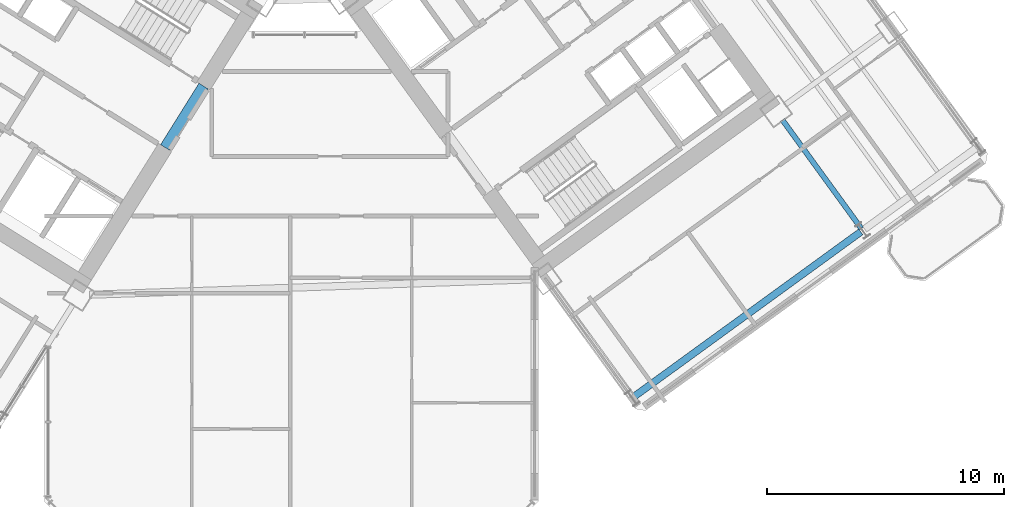
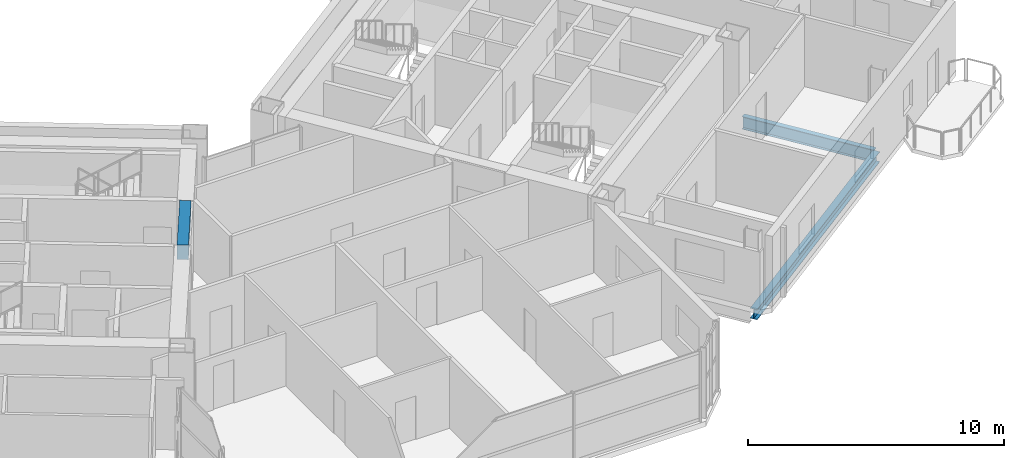
# One storey, part 10 of 28: 3 beams.
"""IFC4 building model written with IfcOpenShell, lengths in metres."""

from ifc_helpers import new_model, si_unit, direction, frame, origin, origin_2d, place, context, subcontext, project, spatial, rectangle, i_section, extrude, source, transform, mapped, material, material_profile, profile_set, type_object, element, save


model = new_model("IFC4")

# Units and contexts
model_context = context("Model", 3, precision=1e-05, world=origin(), true_north=direction((0.0, 1.0)))
body_context = subcontext(model_context, "Body", "Model", "MODEL_VIEW")
ifc_project = project(units=[si_unit("LENGTHUNIT", "METRE"), si_unit("AREAUNIT", "SQUARE_METRE"), si_unit("VOLUMEUNIT", "CUBIC_METRE"), si_unit("PLANEANGLEUNIT", "RADIAN"), si_unit("MASSUNIT", "GRAM", prefix="KILO")], contexts=[model_context])

# Site, building, storey
site_placement = place(None, origin())
site = spatial("IfcSite", under=ifc_project, at=site_placement, CompositionType="ELEMENT")
building_placement = place(site_placement, origin())
building = spatial("IfcBuilding", under=site, at=building_placement, Name="Tlacorven Tower", CompositionType="ELEMENT")
storey_placement = place(building_placement, frame((0.0, 0.0, 42.0)))
storey = spatial("IfcBuildingStorey", under=building, at=storey_placement, Name="L10", CompositionType="ELEMENT", Elevation=42.0)

# Beams
ifc_material_1 = material(Name="Concrete C60/75", Category="concrete")
ifc_material_profile_1 = material_profile(ifc_material_1, rectangle(XDim=0.449951171875, YDim=0.699951171875, at=origin_2d()), Name="RC 450X700")
ifc_profile_set_1 = profile_set([ifc_material_profile_1], Name="Concrete C60/75")
beam_type_1 = type_object("IfcBeamType", Name="BM-LNT-700", PredefinedType="LINTEL", material=ifc_profile_set_1)
shared_shape_1 = source(origin(), body_context, "Body", "SweptSolid", [
    extrude(rectangle(XDim=0.449951171875, YDim=0.699951171875, at=origin_2d()), origin(), (0.0, 0.0, 1.0), 3.050048828125),
])
beam_1_placement = place(storey_placement, frame((38.2998046875, 20.890625, 3.0), z_axis=(-0.529984549635, -0.848007297815, 0.0), x_axis=(0.848007297815, -0.529984549635, 0.0)))
element("IfcBeam", 1, at=beam_1_placement, inside=storey, type_object=beam_type_1, Name="L10 W core coupling lintel beam E1", PredefinedType="LINTEL", context=body_context, shape_type="MappedRepresentation", body=[
    mapped(shared_shape_1, transform((0.0, 0.0, 0.0), scale=1.0)),
])
ifc_material_2 = material(Name="Steel S355J2", Category="steel")
ifc_material_profile_2 = material_profile(ifc_material_2, i_section(OverallWidth=0.219970703125, OverallDepth=0.60009765625, WebThickness=0.011962890625, FlangeThickness=0.01904296875, at=origin_2d()), Name="IPE 600")
ifc_profile_set_2 = profile_set([ifc_material_profile_2], Name="Steel S355J2")
beam_type_2 = type_object("IfcBeamType", Name="BM-TWR-600", PredefinedType="BEAM", material=ifc_profile_set_2)
shared_shape_2 = source(origin(), body_context, "Body", "SweptSolid", [
    extrude(i_section(OverallWidth=0.219970703125, OverallDepth=0.60009765625, WebThickness=0.011962890625, FlangeThickness=0.01904296875, at=origin_2d()), origin(), (0.0, 0.0, 1.0), 5.64990234375),
])
beam_2_placement = place(storey_placement, frame((65.9990234375, 14.891845703125, -0.550048828125), z_axis=(-0.587755393186, 0.809038687444, 0.0), x_axis=(-0.809038687444, -0.587755393186, 0.0)))
element("IfcBeam", 2, at=beam_2_placement, inside=storey, type_object=beam_type_2, Name="L10 beam BM-L10-ET3-1", PredefinedType="BEAM", context=body_context, shape_type="MappedRepresentation", body=[
    mapped(shared_shape_2, transform((0.0, 0.0, 0.0), scale=1.0)),
])
ifc_material_profile_3 = material_profile(ifc_material_2, i_section(OverallWidth=0.300048828125, OverallDepth=0.489990234375, WebThickness=0.011962890625, FlangeThickness=0.02294921875, at=origin_2d()), Name="HEA 500")
ifc_profile_set_3 = profile_set([ifc_material_profile_3], Name="Steel S355J2")
beam_type_3 = type_object("IfcBeamType", Name="BM-SPN-500", PredefinedType="SPANDREL", material=ifc_profile_set_3)
shared_shape_3 = source(origin(), body_context, "Body", "SweptSolid", [
    extrude(i_section(OverallWidth=0.300048828125, OverallDepth=0.489990234375, WebThickness=0.011962890625, FlangeThickness=0.02294921875, at=origin_2d()), origin(), (0.0, 0.0, 1.0), 11.800048828125),
])
beam_3_placement = place(storey_placement, frame((56.4306640625, 7.816162109375, -0.4951171875), z_axis=(0.80900977213, 0.587795192732, 0.0), x_axis=(-0.587795192732, 0.80900977213, 0.0)))
element("IfcBeam", 3, at=beam_3_placement, inside=storey, type_object=beam_type_3, Name="L10 beam BM-L10-EL1-1", PredefinedType="SPANDREL", context=body_context, shape_type="MappedRepresentation", body=[
    mapped(shared_shape_3, transform((0.0, 0.0, 0.0), scale=1.0)),
])

save(model, "model.ifc")
